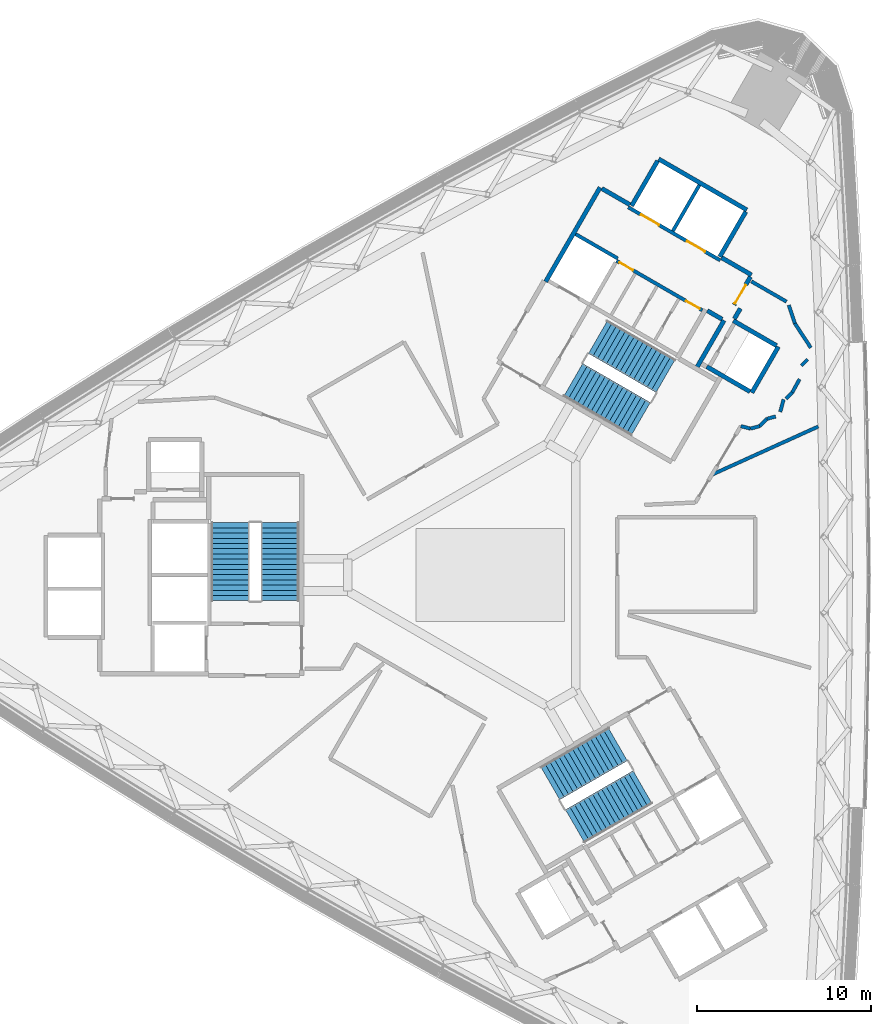
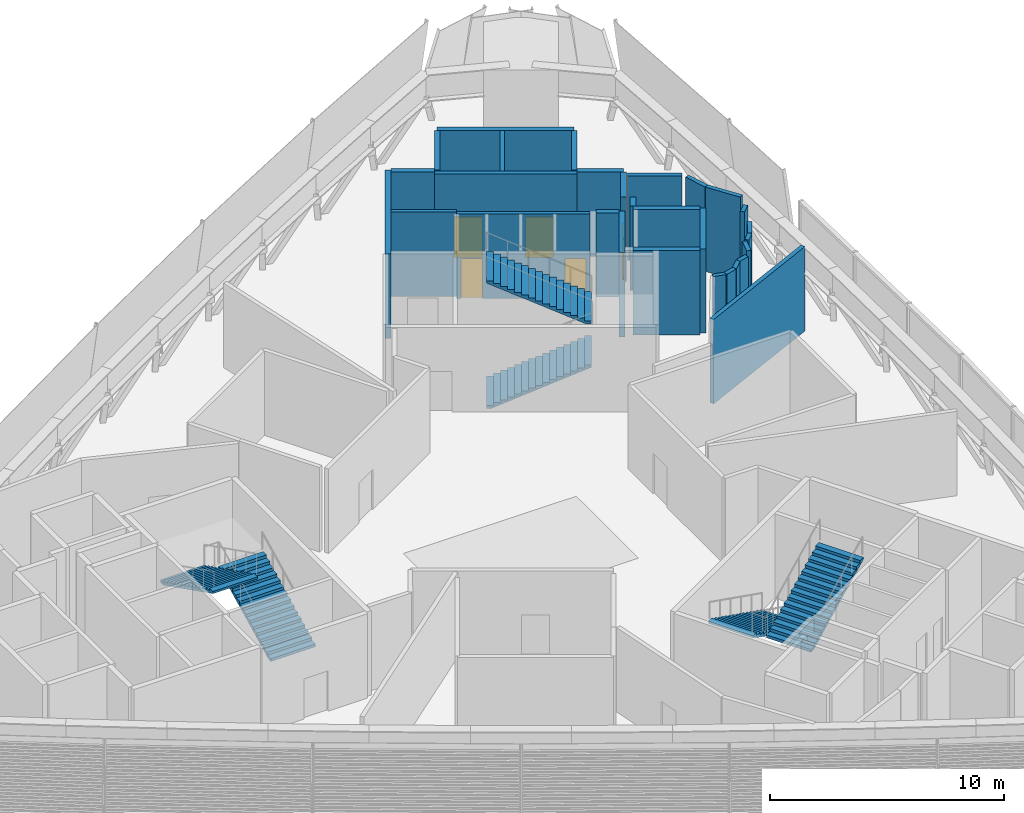
# One storey, part 13 of 17: 29 walls, 6 stair flights, 5 doors, 5 openings, 3 elements without a shape of their own.
"""IFC4 building model written with IfcOpenShell, lengths in metres."""

import ifcopenshell
import ifcopenshell.guid

model = None  # the IFC model being written
_history = None  # IfcOwnerHistory: only IFC2X3 demands one
_inside = {}  # id of a spatial element -> (the spatial element, [elements in it])
_under = {}  # id of a project, library or spatial element -> (it, [spatial elements below it])
_declared = {}  # id of a project -> (the project, [libraries it declares])
_typed = {}  # id of a type object -> (the type object, [elements of that type])
_made_of = {}  # id of a material, layer set ... -> (it, [elements and type objects made of it])


def new_model(schema):
    """Start an empty IFC model of exactly this schema.

    Asked for "IFC4X3", IfcOpenShell would pick the latest addendum, in which some entities
    have other attributes; the version numbers below select the first issue.
    IFC2X3 requires an IfcOwnerHistory on every rooted entity: one is made here for all.
    """
    global model, _history
    if schema == "IFC4X3":
        model = ifcopenshell.file(schema_version=(4, 3, 0, 0))
    else:
        model = ifcopenshell.file(schema=schema)
    _inside.clear()
    _under.clear()
    _declared.clear()
    _typed.clear()
    _made_of.clear()
    _history = None
    if model.schema == "IFC2X3":
        org = make("IfcOrganization", Name="unknown")
        user = make(
            "IfcPersonAndOrganization",
            ThePerson=make("IfcPerson", FamilyName="unknown"),
            TheOrganization=org,
        )
        app = make(
            "IfcApplication",
            ApplicationDeveloper=org,
            Version="unknown",
            ApplicationFullName="unknown",
            ApplicationIdentifier="unknown",
        )
        _history = make(
            "IfcOwnerHistory",
            OwningUser=user,
            OwningApplication=app,
            ChangeAction="ADDED",
            CreationDate=0,
        )
    return model


def make(cls, **values):
    """One entity of the class cls with the attributes given. An attribute that is None is left unset."""
    return model.create_entity(
        cls, **{name: value for name, value in values.items() if value is not None}
    )


def rooted(cls, **values):
    """An entity with a GlobalId (a new one), such as an element, a storey or a relation."""
    return make(cls, GlobalId=ifcopenshell.guid.new(), OwnerHistory=_history, **values)


def si_unit(unit_type, name, prefix=None):
    """IfcSIUnit, for example si_unit("LENGTHUNIT", "METRE", prefix="MILLI")."""
    return make("IfcSIUnit", UnitType=unit_type, Prefix=prefix, Name=name)


def assignment(units):
    """IfcUnitAssignment: the units of a project."""
    return None if units is None else make("IfcUnitAssignment", Units=units)


def point(xyz):
    """IfcCartesianPoint."""
    return None if xyz is None else make("IfcCartesianPoint", Coordinates=xyz)


def direction(xyz):
    """IfcDirection."""
    return None if xyz is None else make("IfcDirection", DirectionRatios=xyz)


def frame(location, z_axis=None, x_axis=None):
    """IfcAxis2Placement3D, a coordinate frame: its origin and axes. An axis left out is left unset."""
    return make(
        "IfcAxis2Placement3D",
        Location=point(location),
        Axis=direction(z_axis),
        RefDirection=direction(x_axis),
    )


def frame_2d(location, x_axis=None):
    """IfcAxis2Placement2D, a coordinate frame in the plane: its origin and x axis."""
    return make(
        "IfcAxis2Placement2D", Location=point(location), RefDirection=direction(x_axis)
    )


def origin():
    """The frame at (0, 0, 0) with its axes left unset."""
    return frame((0.0, 0.0, 0.0))


def place(relative_to, where):
    """IfcLocalPlacement: puts the frame where relative to a parent placement (None: the world)."""
    return make(
        "IfcLocalPlacement", PlacementRelTo=relative_to, RelativePlacement=where
    )


def context(
    kind, dimensions, precision=None, world=None, true_north=None, identifier=None
):
    """IfcGeometricRepresentationContext, for example the 3D "Model" context."""
    return make(
        "IfcGeometricRepresentationContext",
        ContextIdentifier=identifier,
        ContextType=kind,
        CoordinateSpaceDimension=dimensions,
        Precision=precision,
        WorldCoordinateSystem=world,
        TrueNorth=true_north,
    )


def subcontext(parent, identifier, kind, view, scale=None):
    """IfcGeometricRepresentationSubContext, for example "Body" below "Model"."""
    return make(
        "IfcGeometricRepresentationSubContext",
        ContextIdentifier=identifier,
        ContextType=kind,
        ParentContext=parent,
        TargetScale=scale,
        TargetView=view,
    )


def project(units=None, contexts=None):
    """IfcProject with its units and contexts."""
    return rooted(
        "IfcProject",
        Name="project",
        RepresentationContexts=contexts,
        UnitsInContext=assignment(units),
    )


def spatial(cls, under=None, at=None, **own):
    """A site, building, storey or space (cls), placed at a placement, below another one or the project."""
    s = rooted(cls, ObjectPlacement=at, **own)
    if under is not None:
        _under.setdefault(under.id(), (under, []))[1].append(s)
    return s


def polyline(points):
    """IfcPolyline through the points."""
    return make("IfcPolyline", Points=[point(p) for p in points])


def profile(cls, at=None, kind="AREA", **sizes):
    """A parametric profile (cls). Its sizes go by their IFC names, for example OverallWidth=200.0."""
    return make(cls, ProfileType=kind, Position=at, **sizes)


def rectangle(**sizes):
    """IfcRectangleProfileDef."""
    return profile("IfcRectangleProfileDef", **sizes)


def outline(outer, holes=None, kind="AREA"):
    """IfcArbitraryClosedProfileDef: a profile drawn as a closed curve; with holes, ...WithVoids."""
    if holes is None:
        return make("IfcArbitraryClosedProfileDef", ProfileType=kind, OuterCurve=outer)
    return make(
        "IfcArbitraryProfileDefWithVoids",
        ProfileType=kind,
        OuterCurve=outer,
        InnerCurves=holes,
    )


def extrude(swept, where, along, depth):
    """IfcExtrudedAreaSolid: the profile swept, set in the frame where, extruded along a direction by depth."""
    return make(
        "IfcExtrudedAreaSolid",
        SweptArea=swept,
        Position=where,
        ExtrudedDirection=direction(along),
        Depth=depth,
    )


def shape(context_of_items, identifier, shape_type, items):
    """IfcShapeRepresentation: the items that make up one representation, for example the "Body"."""
    return make(
        "IfcShapeRepresentation",
        ContextOfItems=context_of_items,
        RepresentationIdentifier=identifier,
        RepresentationType=shape_type,
        Items=items,
    )


def material(Name=None, Category=None):
    """IfcMaterial."""
    return make("IfcMaterial", Name=Name, Category=Category)


def layer(
    of_material, thickness, ventilated=None, Name=None, Category=None, Priority=None
):
    """IfcMaterialLayer: one layer of a wall or slab, of a material (None: an air gap)."""
    return make(
        "IfcMaterialLayer",
        Material=of_material,
        LayerThickness=thickness,
        IsVentilated=ventilated,
        Name=Name,
        Category=Category,
        Priority=Priority,
    )


def layer_set(layers, Name=None):
    """IfcMaterialLayerSet."""
    return make("IfcMaterialLayerSet", MaterialLayers=layers, LayerSetName=Name)


def made_of(thing, what):
    """Note that an element or type object is made of a material, layer set ...; save() writes the relation."""
    if what is not None:
        _made_of.setdefault(what.id(), (what, []))[1].append(thing)
    return thing


def type_object(cls, material=None, **own):
    """A type object (cls), such as IfcWallType, which elements share."""
    return made_of(rooted(cls, **own), material)


def element(
    cls,
    number,
    at=None,
    inside=None,
    cuts=None,
    type_object=None,
    material=None,
    context=None,
    identifier="Body",
    shape_type=None,
    held_by="IfcProductDefinitionShape",
    body=None,
    shapes=None,
    **own,
):
    """One element of the class cls, such as IfcWall. Its Tag is "e" and its number.

    at: its placement. inside: the storey or other place that contains it. cuts: it is an
    opening in that element (IfcRelVoidsElement). A single representation is given by context,
    identifier, shape_type and body (its items); several are given by shapes. held_by: the class
    of the entity that holds the representations. save() writes the other relations.
    """
    e = rooted(cls, Tag="e%d" % number, ObjectPlacement=at, **own)
    if body is not None:
        shapes = [shape(context, identifier, shape_type, body)]
    if shapes is not None:
        e.Representation = make(held_by, Representations=shapes)
    if inside is not None:
        _inside.setdefault(inside.id(), (inside, []))[1].append(e)
    if cuts is not None:
        rooted(
            "IfcRelVoidsElement", RelatingBuildingElement=cuts, RelatedOpeningElement=e
        )
    if type_object is not None:
        _typed.setdefault(type_object.id(), (type_object, []))[1].append(e)
    return made_of(e, material)


def fill(opening, filler):
    """IfcRelFillsElement: the door or window that sits in an opening."""
    return rooted(
        "IfcRelFillsElement",
        RelatingOpeningElement=opening,
        RelatedBuildingElement=filler,
    )


def aggregate(whole, parts):
    """IfcRelAggregates: a whole, such as a stair, and the parts it consists of."""
    return rooted("IfcRelAggregates", RelatingObject=whole, RelatedObjects=parts)


def save(model, path):
    """Write the relations noted so far, then the file.

    IfcRelAggregates (storeys below a building ...), IfcRelContainedInSpatialStructure (elements
    in a storey), IfcRelDefinesByType, IfcRelAssociatesMaterial and IfcRelDeclares: one each for
    every whole, place, type object, material and project.
    """
    for whole, parts in _under.values():
        aggregate(whole, parts)
    for where, things in _inside.values():
        rooted(
            "IfcRelContainedInSpatialStructure",
            RelatedElements=things,
            RelatingStructure=where,
        )
    for kind, things in _typed.values():
        rooted("IfcRelDefinesByType", RelatedObjects=things, RelatingType=kind)
    for what, things in _made_of.values():
        rooted("IfcRelAssociatesMaterial", RelatedObjects=things, RelatingMaterial=what)
    for by, libraries in _declared.values():
        rooted("IfcRelDeclares", RelatingContext=by, RelatedDefinitions=libraries)
    model.write(path)


model = new_model("IFC4")

# Units and contexts
model_context = context("Model", 3, precision=1e-05, world=origin(), true_north=direction((0.0, 1.0)))
body_context = subcontext(model_context, "Body", "Model", "MODEL_VIEW")
ifc_project = project(units=[si_unit("LENGTHUNIT", "METRE"), si_unit("AREAUNIT", "SQUARE_METRE"), si_unit("VOLUMEUNIT", "CUBIC_METRE"), si_unit("PLANEANGLEUNIT", "RADIAN"), si_unit("MASSUNIT", "GRAM", prefix="KILO")], contexts=[model_context])

# Site, building, storey
site_placement = place(None, origin())
site = spatial("IfcSite", under=ifc_project, at=site_placement, CompositionType="ELEMENT")
building_placement = place(site_placement, origin())
building = spatial("IfcBuilding", under=site, at=building_placement, Name="Tamra Quay Hotel Tower", CompositionType="ELEMENT")
storey_placement = place(building_placement, frame((0.0, 0.0, 119.0)))
storey = spatial("IfcBuildingStorey", under=building, at=storey_placement, Name="L29", CompositionType="ELEMENT", Elevation=119.0)

# Wall, openings, doors
ifc_material_1 = material(Name="Concrete M70", Category="concrete")
ifc_layer_1 = layer(ifc_material_1, 0.199951171875)
ifc_layer_set_1 = layer_set([ifc_layer_1], Name="Concrete M70 core wall 200")
wall_type_1 = type_object("IfcWallType", Name="Concrete M70 core wall 200", PredefinedType="SHEAR", material=ifc_layer_set_1)
wall_1_placement = place(storey_placement, frame((13.209716796875, 18.07958984375, 0.0), z_axis=(0.0, 0.0, 1.0), x_axis=(-0.866030299012, 0.499991521122, 0.0)))
wall_1 = element("IfcWall", 1, at=wall_1_placement, inside=storey, type_object=wall_type_1, Name="CW2", PredefinedType="SHEAR", context=body_context, shape_type="SweptSolid", body=[
    extrude(rectangle(XDim=6.10009765625, YDim=0.199951171875, at=frame_2d((3.050048828125, 0.0))), origin(), (0.0, 0.0, 1.0), 4.39990234375),
])
opening_1_placement = place(wall_1_placement, frame((1.0, 0.0, 0.0)))
opening_1 = element("IfcOpeningElement", 2, at=opening_1_placement, cuts=wall_1, Name="Opening LD", PredefinedType="OPENING", context=body_context, shape_type="SweptSolid", body=[
    extrude(rectangle(XDim=1.199951171875, YDim=2.10009765625, at=frame_2d((0.60009765625, 1.050048828125))), frame((0.0, 0.10986328125, 0.0), z_axis=(0.0, -1.0, 0.0), x_axis=(1.0, 0.0, 0.0)), (0.0, 0.0, 1.0), 0.219970703125),
])
opening_2_placement = place(wall_1_placement, frame((4.05029296875, 0.0, 0.0)))
opening_2 = element("IfcOpeningElement", 3, at=opening_2_placement, cuts=wall_1, Name="Opening LD", PredefinedType="OPENING", context=body_context, shape_type="SweptSolid", body=[
    extrude(rectangle(XDim=1.199951171875, YDim=2.10009765625, at=frame_2d((0.60009765625, 1.050048828125))), frame((0.0, 0.10986328125, 0.0), z_axis=(0.0, -1.0, 0.0), x_axis=(1.0, 0.0, 0.0)), (0.0, 0.0, 1.0), 0.219970703125),
])
ifc_material_2 = material(Name="Landing door LD 1200 double door sliding")
door_type_1 = type_object("IfcDoorType", Name="Landing door LD 1200 double door sliding", OperationType="DOUBLE_DOOR_SLIDING", PredefinedType="DOOR", material=ifc_material_2)
door_1_placement = place(opening_1_placement, origin())
door_1 = element("IfcDoor", 4, at=door_1_placement, inside=storey, type_object=door_type_1, Name="LD", OperationType="DOUBLE_DOOR_SLIDING", OverallHeight=2.10009765625, OverallWidth=1.199951171875, PredefinedType="DOOR", context=body_context, shape_type="SweptSolid", body=[
    extrude(rectangle(XDim=1.199951171875, YDim=2.10009765625, at=frame_2d((0.60009765625, 1.050048828125))), frame((0.0, 0.02490234375, 0.0), z_axis=(0.0, -1.0, 0.0), x_axis=(1.0, 0.0, 0.0)), (0.0, 0.0, 1.0), 0.050048828125),
])
fill(opening_1, door_1)
door_2_placement = place(opening_2_placement, origin())
door_2 = element("IfcDoor", 5, at=door_2_placement, inside=storey, type_object=door_type_1, Name="LD", OperationType="DOUBLE_DOOR_SLIDING", OverallHeight=2.10009765625, OverallWidth=1.199951171875, PredefinedType="DOOR", context=body_context, shape_type="SweptSolid", body=[
    extrude(rectangle(XDim=1.199951171875, YDim=2.10009765625, at=frame_2d((0.60009765625, 1.050048828125))), frame((0.0, 0.02490234375, 0.0), z_axis=(0.0, -1.0, 0.0), x_axis=(1.0, 0.0, 0.0)), (0.0, 0.0, 1.0), 0.050048828125),
])
fill(opening_2, door_2)

wall_2_placement = place(storey_placement, frame((12.18505859375, 15.20703125, 0.0), z_axis=(0.0, 0.0, 1.0), x_axis=(-0.866020080793, 0.500009219579, 0.0)))
wall_2 = element("IfcWall", 6, at=wall_2_placement, inside=storey, type_object=wall_type_1, Name="CW2", PredefinedType="SHEAR", context=body_context, shape_type="SweptSolid", body=[
    extrude(rectangle(XDim=5.69921875, YDim=0.199951171875, at=frame_2d((2.849609375, 0.0))), origin(), (0.0, 0.0, 1.0), 4.39990234375),
])
opening_3_placement = place(wall_2_placement, frame((0.174072265625, 0.0, 0.0)))
opening_3 = element("IfcOpeningElement", 7, at=opening_3_placement, cuts=wall_2, Name="Opening D2", PredefinedType="OPENING", context=body_context, shape_type="SweptSolid", body=[
    extrude(rectangle(XDim=0.89990234375, YDim=2.10009765625, at=frame_2d((0.449951171875, 1.050048828125))), frame((0.0, 0.10986328125, 0.0), z_axis=(0.0, -1.0, 0.0), x_axis=(1.0, 0.0, 0.0)), (0.0, 0.0, 1.0), 0.219970703125),
])
opening_4_placement = place(wall_2_placement, frame((4.59912109375, 0.0, 0.0)))
opening_4 = element("IfcOpeningElement", 8, at=opening_4_placement, cuts=wall_2, Name="Opening D2", PredefinedType="OPENING", context=body_context, shape_type="SweptSolid", body=[
    extrude(rectangle(XDim=0.89990234375, YDim=2.10009765625, at=frame_2d((0.449951171875, 1.050048828125))), frame((0.0, 0.10986328125, 0.0), z_axis=(0.0, -1.0, 0.0), x_axis=(1.0, 0.0, 0.0)), (0.0, 0.0, 1.0), 0.219970703125),
])
ifc_material_3 = material(Name="Core door D2 900x2100 LH")
door_type_2 = type_object("IfcDoorType", Name="Core door D2 900x2100 LH", OperationType="NOTDEFINED", PredefinedType="DOOR", material=ifc_material_3)
door_3_placement = place(opening_3_placement, origin())
door_3 = element("IfcDoor", 9, at=door_3_placement, inside=storey, type_object=door_type_2, Name="D2", OperationType="SINGLE_SWING_LEFT", OverallHeight=2.10009765625, OverallWidth=0.89990234375, PredefinedType="DOOR", context=body_context, shape_type="SweptSolid", body=[
    extrude(rectangle(XDim=0.89990234375, YDim=2.10009765625, at=frame_2d((0.449951171875, 1.050048828125))), frame((0.0, 0.02490234375, 0.0), z_axis=(0.0, -1.0, 0.0), x_axis=(1.0, 0.0, 0.0)), (0.0, 0.0, 1.0), 0.050048828125),
])
fill(opening_3, door_3)
ifc_material_4 = material(Name="Core door D2 900x2100 RH")
door_type_3 = type_object("IfcDoorType", Name="Core door D2 900x2100 RH", OperationType="NOTDEFINED", PredefinedType="DOOR", material=ifc_material_4)
door_4_placement = place(opening_4_placement, origin())
door_4 = element("IfcDoor", 10, at=door_4_placement, inside=storey, type_object=door_type_3, Name="D2", OperationType="SINGLE_SWING_RIGHT", OverallHeight=2.10009765625, OverallWidth=0.89990234375, PredefinedType="DOOR", context=body_context, shape_type="SweptSolid", body=[
    extrude(rectangle(XDim=0.89990234375, YDim=2.10009765625, at=frame_2d((0.449951171875, 1.050048828125))), frame((0.0, 0.02490234375, 0.0), z_axis=(0.0, -1.0, 0.0), x_axis=(1.0, 0.0, 0.0)), (0.0, 0.0, 1.0), 0.050048828125),
])
fill(opening_4, door_4)

# Walls
wall_3_placement = place(storey_placement, frame((10.48876953125, 19.76708984375, 0.0), z_axis=(0.0, 0.0, 1.0), x_axis=(0.499946628782, 0.866056215479, 0.0)))
element("IfcWall", 11, at=wall_3_placement, inside=storey, type_object=wall_type_1, Name="CW2", PredefinedType="SHEAR", context=body_context, shape_type="SweptSolid", body=[
    extrude(rectangle(XDim=3.048095703125, YDim=0.199951171875, at=frame_2d((1.52392578125, 0.0))), origin(), (0.0, 0.0, 1.0), 4.39990234375),
])
wall_4_placement = place(storey_placement, frame((4.900634765625, 19.5859375, 0.0), z_axis=(0.0, 0.0, 1.0), x_axis=(0.866022890907, -0.500004352405, 0.0)))
element("IfcWall", 12, at=wall_4_placement, inside=storey, type_object=wall_type_1, Name="CW2", PredefinedType="SHEAR", context=body_context, shape_type="SweptSolid", body=[
    extrude(rectangle(XDim=2.798828125, YDim=0.199951171875, at=frame_2d((1.3994140625, 0.0))), origin(), (0.0, 0.0, 1.0), 4.39990234375),
])
ifc_layer_2 = layer(ifc_material_1, 0.25)
ifc_layer_set_2 = layer_set([ifc_layer_2], Name="Concrete M70 core wall 250")
wall_type_2 = type_object("IfcWallType", Name="Concrete M70 core wall 250", PredefinedType="SHEAR", material=ifc_layer_set_2)
wall_5_placement = place(storey_placement, frame((3.178955078125, 16.856201171875, 0.0), z_axis=(0.0, 0.0, 1.0), x_axis=(0.500004234368, 0.866022959057, 0.0)))
element("IfcWall", 13, at=wall_5_placement, inside=storey, type_object=wall_type_2, Name="CW1", PredefinedType="SHEAR", context=body_context, shape_type="SweptSolid", body=[
    extrude(rectangle(XDim=6.25, YDim=0.25, at=frame_2d((3.125, 0.0))), origin(), (0.0, 0.0, 1.0), 4.39990234375),
])
wall_6_placement = place(storey_placement, frame((9.672607421875, 23.9033203125, 0.0), z_axis=(0.0, 0.0, 1.0), x_axis=(0.86603616409, -0.499981362141, 0.0)))
element("IfcWall", 14, at=wall_6_placement, inside=storey, type_object=wall_type_2, Name="CW1", PredefinedType="SHEAR", context=body_context, shape_type="SweptSolid", body=[
    extrude(rectangle(XDim=5.849853515625, YDim=0.25, at=frame_2d((2.9248046875, 0.0))), origin(), (0.0, 0.0, 1.0), 4.39990234375),
])
for number, where, z_axis, x_axis, name in (
    (15, (8.12255859375, 21.21875, 0.0), (0.0, 0.0, 1.0), (0.499987686533, 0.866032512851, 0.0), "CW1"),
    (16, (14.67626953125, 20.869873046875, 0.0), (0.0, 0.0, 1.0), (-0.499987686533, -0.866032512851, 0.0), "CW1"),
):
    element("IfcWall", number, at=place(storey_placement, frame(where, z_axis=z_axis, x_axis=x_axis)), inside=storey, type_object=wall_type_2, Name=name, PredefinedType="SHEAR", context=body_context, shape_type="SweptSolid", body=[
        extrude(rectangle(XDim=2.974609375, YDim=0.25, at=frame_2d((1.4873046875, 0.0))), origin(), (0.0, 0.0, 1.0), 4.39990234375),
    ])
wall_7_placement = place(storey_placement, frame((16.552001953125, 13.118896484375, 0.0), z_axis=(0.0, 0.0, 1.0), x_axis=(-0.499978833458, -0.866037623948, 0.0)))
element("IfcWall", 17, at=wall_7_placement, inside=storey, type_object=wall_type_2, Name="CW1", PredefinedType="SHEAR", context=body_context, shape_type="SweptSolid", body=[
    extrude(rectangle(XDim=3.050048828125, YDim=0.25, at=frame_2d((1.52490234375, 0.0))), origin(), (0.0, 0.0, 1.0), 4.39990234375),
])
wall_8_placement = place(storey_placement, frame((14.91845703125, 10.540283203125, 0.0), z_axis=(0.0, 0.0, 1.0), x_axis=(-0.866063538972, 0.499933942099, 0.0)))
element("IfcWall", 18, at=wall_8_placement, inside=storey, type_object=wall_type_2, Name="CW1", PredefinedType="SHEAR", context=body_context, shape_type="SweptSolid", body=[
    extrude(rectangle(XDim=2.86474609375, YDim=0.25, at=frame_2d((1.432373046875, 0.0))), origin(), (0.0, 0.0, 1.0), 4.39990234375),
])
wall_9_placement = place(storey_placement, frame((13.962646484375, 14.61376953125, 0.0), z_axis=(0.0, 0.0, 1.0), x_axis=(0.866042235819, -0.499970844928, 0.0)))
element("IfcWall", 19, at=wall_9_placement, inside=storey, type_object=wall_type_2, Name="CW1", PredefinedType="SHEAR", context=body_context, shape_type="SweptSolid", body=[
    extrude(rectangle(XDim=2.864501953125, YDim=0.25, at=frame_2d((1.43212890625, 0.0))), origin(), (0.0, 0.0, 1.0), 4.39990234375),
])
wall_10_placement = place(storey_placement, frame((11.887939453125, 11.960693359375, 0.0), z_axis=(0.0, 0.0, 1.0), x_axis=(0.500003324108, 0.866023484601, 0.0)))
element("IfcWall", 20, at=wall_10_placement, inside=storey, type_object=wall_type_2, Name="CW1", PredefinedType="SHEAR", context=body_context, shape_type="SweptSolid", body=[
    extrude(rectangle(XDim=3.0849609375, YDim=0.25, at=frame_2d((1.54248046875, 0.0))), origin(), (0.0, 0.0, 1.0), 4.39990234375),
])
wall_11_placement = place(storey_placement, frame((13.29736328125, 18.23095703125, 0.0), z_axis=(0.0, 0.0, 1.0), x_axis=(0.866043531843, -0.499968599967, 0.0)))
element("IfcWall", 21, at=wall_11_placement, inside=storey, type_object=wall_type_2, Name="CW1", PredefinedType="SHEAR", context=body_context, shape_type="SweptSolid", body=[
    extrude(rectangle(XDim=1.974853515625, YDim=0.25, at=frame_2d((0.9873046875, 0.0))), origin(), (0.0, 0.0, 1.0), 4.39990234375),
])
wall_12_placement = place(storey_placement, frame((6.41259765625, 22.2060546875, 0.0), z_axis=(0.0, 0.0, 1.0), x_axis=(0.866016279763, -0.500015802937, 0.0)))
element("IfcWall", 22, at=wall_12_placement, inside=storey, type_object=wall_type_2, Name="CW1", PredefinedType="SHEAR", context=body_context, shape_type="SweptSolid", body=[
    extrude(rectangle(XDim=1.84912109375, YDim=0.25, at=frame_2d((0.924560546875, 0.0))), origin(), (0.0, 0.0, 1.0), 4.39990234375),
])

# Wall, opening, door
wall_13_placement = place(storey_placement, frame((14.94482421875, 17.13525390625, 0.0), z_axis=(0.0, 0.0, 1.0), x_axis=(-0.499983108224, -0.866035156036, 0.0)))
wall_13 = element("IfcWall", 23, at=wall_13_placement, inside=storey, type_object=wall_type_2, Name="CW1", PredefinedType="SHEAR", context=body_context, shape_type="SweptSolid", body=[
    extrude(rectangle(XDim=1.86474609375, YDim=0.25, at=frame_2d((0.932373046875, 0.0))), origin(), (0.0, 0.0, 1.0), 4.39990234375),
])
opening_5_placement = place(wall_13_placement, frame((0.53466796875, 0.0, 0.0)))
opening_5 = element("IfcOpeningElement", 24, at=opening_5_placement, cuts=wall_13, Name="Opening FD3", PredefinedType="OPENING", context=body_context, shape_type="SweptSolid", body=[
    extrude(rectangle(XDim=1.25, YDim=2.10009765625, at=frame_2d((0.625, 1.050048828125))), frame((0.0, 0.135009765625, 0.0), z_axis=(0.0, -1.0, 0.0), x_axis=(1.0, 0.0, 0.0)), (0.0, 0.0, 1.0), 0.27001953125),
])
ifc_material_5 = material(Name="Core door FD3 1250x2100 LH")
door_type_4 = type_object("IfcDoorType", Name="Core door FD3 1250x2100 LH", OperationType="NOTDEFINED", PredefinedType="DOOR", material=ifc_material_5)
door_5_placement = place(opening_5_placement, origin())
door_5 = element("IfcDoor", 25, at=door_5_placement, inside=storey, type_object=door_type_4, Name="FD3", OperationType="SINGLE_SWING_LEFT", OverallHeight=2.10009765625, OverallWidth=1.25, PredefinedType="DOOR", context=body_context, shape_type="SweptSolid", body=[
    extrude(rectangle(XDim=1.25, YDim=2.10009765625, at=frame_2d((0.625, 1.050048828125))), frame((0.0, 0.02490234375, 0.0), z_axis=(0.0, -1.0, 0.0), x_axis=(1.0, 0.0, 0.0)), (0.0, 0.0, 1.0), 0.050048828125),
])
fill(opening_5, door_5)

# Walls
wall_14_placement = place(storey_placement, frame((13.322021484375, 14.695068359375, 0.0), z_axis=(0.0, 0.0, 1.0), x_axis=(-0.866017078145, 0.500014420154, 0.0)))
element("IfcWall", 26, at=wall_14_placement, inside=storey, type_object=wall_type_2, Name="CW1", PredefinedType="SHEAR", context=body_context, shape_type="SweptSolid", body=[
    extrude(rectangle(XDim=0.9892578125, YDim=0.25, at=frame_2d((0.49462890625, 0.0))), origin(), (0.0, 0.0, 1.0), 4.39990234375),
])
wall_15_placement = place(storey_placement, frame((14.36767578125, 15.3154296875, 0.0), z_axis=(0.0, 0.0, 1.0), x_axis=(-0.499897359611, -0.866084655132, 0.0)))
element("IfcWall", 27, at=wall_15_placement, inside=storey, type_object=wall_type_2, Name="CW1", PredefinedType="SHEAR", context=body_context, shape_type="SweptSolid", body=[
    extrude(rectangle(XDim=0.684814453125, YDim=0.25, at=frame_2d((0.34228515625, 0.0))), origin(), (0.0, 0.0, 1.0), 4.39990234375),
])
ifc_material_6 = material(Name="Partition corridor wall")
ifc_layer_3 = layer(ifc_material_6, 0.199951171875)
ifc_layer_set_3 = layer_set([ifc_layer_3], Name="Partition corridor wall")
wall_type_3 = type_object("IfcWallType", Name="Partition corridor wall", PredefinedType="PARTITIONING", material=ifc_layer_set_3)
wall_16_placement = place(storey_placement, frame((14.39892578125, 8.555908203125, 0.0), z_axis=(0.0, 0.0, 1.0), x_axis=(0.965845482244, -0.259118707215, 0.0)))
element("IfcWall", 28, at=wall_16_placement, inside=storey, type_object=wall_type_3, Name="W-C", PredefinedType="PARTITIONING", context=body_context, shape_type="SweptSolid", body=[
    extrude(rectangle(XDim=0.5634765625, YDim=0.199951171875, at=frame_2d((0.28173828125, 0.0))), origin(), (0.0, 0.0, 1.0), 4.39990234375),
])
wall_17_placement = place(storey_placement, frame((14.943115234375, 8.409912109375, 0.0), z_axis=(0.0, 0.0, 1.0), x_axis=(0.965744786636, 0.259493751534, 0.0)))
element("IfcWall", 29, at=wall_17_placement, inside=storey, type_object=wall_type_3, Name="W-C", PredefinedType="PARTITIONING", context=body_context, shape_type="SweptSolid", body=[
    extrude(rectangle(XDim=0.547607421875, YDim=0.199951171875, at=frame_2d((0.27392578125, 0.0))), origin(), (0.0, 0.0, 1.0), 4.39990234375),
])
wall_18_placement = place(storey_placement, frame((15.005126953125, 16.869873046875, 0.0), z_axis=(0.0, 0.0, 1.0), x_axis=(0.866005508897, -0.500034457374, 0.0)))
element("IfcWall", 30, at=wall_18_placement, inside=storey, type_object=wall_type_3, Name="W-C", PredefinedType="PARTITIONING", context=body_context, shape_type="SweptSolid", body=[
    extrude(rectangle(XDim=2.325439453125, YDim=0.199951171875, at=frame_2d((1.16259765625, 0.0))), origin(), (0.0, 0.0, 1.0), 4.39990234375),
])
wall_19_placement = place(storey_placement, frame((15.471923828125, 8.552001953125, 0.0), z_axis=(0.0, 0.0, 1.0), x_axis=(0.708129940888, 0.706082138861, 0.0)))
element("IfcWall", 31, at=wall_19_placement, inside=storey, type_object=wall_type_3, Name="W-C", PredefinedType="PARTITIONING", context=body_context, shape_type="SweptSolid", body=[
    extrude(rectangle(XDim=0.59619140625, YDim=0.199951171875, at=frame_2d((0.298095703125, 0.0))), origin(), (0.0, 0.0, 1.0), 4.39990234375),
])
wall_20_placement = place(storey_placement, frame((15.89404296875, 8.972900390625, 0.0), z_axis=(0.0, 0.0, 1.0), x_axis=(0.966023647465, 0.258453695155, 0.0)))
element("IfcWall", 32, at=wall_20_placement, inside=storey, type_object=wall_type_3, Name="W-C", PredefinedType="PARTITIONING", context=body_context, shape_type="SweptSolid", body=[
    extrude(rectangle(XDim=0.5185546875, YDim=0.199951171875, at=frame_2d((0.25927734375, 0.0))), origin(), (0.0, 0.0, 1.0), 4.39990234375),
])
wall_21_placement = place(storey_placement, frame((16.659912109375, 9.373046875, 0.0), z_axis=(0.0, 0.0, 1.0), x_axis=(0.25990241324, 0.965634887311, 0.0)))
element("IfcWall", 33, at=wall_21_placement, inside=storey, type_object=wall_type_3, Name="W-C", PredefinedType="PARTITIONING", context=body_context, shape_type="SweptSolid", body=[
    extrude(rectangle(XDim=0.7392578125, YDim=0.199951171875, at=frame_2d((0.36962890625, 0.0))), origin(), (0.0, 0.0, 1.0), 4.39990234375),
])
wall_22_placement = place(storey_placement, frame((16.988037109375, 10.1240234375, 0.0), z_axis=(0.0, 0.0, 1.0), x_axis=(0.708074756253, 0.706137479218, 0.0)))
element("IfcWall", 34, at=wall_22_placement, inside=storey, type_object=wall_type_3, Name="W-C", PredefinedType="PARTITIONING", context=body_context, shape_type="SweptSolid", body=[
    extrude(rectangle(XDim=0.504150390625, YDim=0.199951171875, at=frame_2d((0.251953125, 0.0))), origin(), (0.0, 0.0, 1.0), 4.39990234375),
])
wall_23_placement = place(storey_placement, frame((17.15087890625, 15.506103515625, 0.0), z_axis=(0.0, 0.0, 1.0), x_axis=(0.313631470976, -0.949544785891, 0.0)))
element("IfcWall", 35, at=wall_23_placement, inside=storey, type_object=wall_type_3, Name="W-C", PredefinedType="PARTITIONING", context=body_context, shape_type="SweptSolid", body=[
    extrude(rectangle(XDim=1.1005859375, YDim=0.199951171875, at=frame_2d((0.55029296875, 0.0))), origin(), (0.0, 0.0, 1.0), 4.39990234375),
])
wall_24_placement = place(storey_placement, frame((17.344970703125, 10.47998046875, 0.0), z_axis=(0.0, 0.0, 1.0), x_axis=(0.483641412834, 0.875266235949, 0.0)))
element("IfcWall", 36, at=wall_24_placement, inside=storey, type_object=wall_type_3, Name="W-C", PredefinedType="PARTITIONING", context=body_context, shape_type="SweptSolid", body=[
    extrude(rectangle(XDim=0.880859375, YDim=0.199951171875, at=frame_2d((0.4404296875, 0.0))), origin(), (0.0, 0.0, 1.0), 4.39990234375),
])
wall_25_placement = place(storey_placement, frame((17.49609375, 14.4609375, 0.0), z_axis=(0.0, 0.0, 1.0), x_axis=(0.548370309333, -0.836235615028, 0.0)))
element("IfcWall", 37, at=wall_25_placement, inside=storey, type_object=wall_type_3, Name="W-C", PredefinedType="PARTITIONING", context=body_context, shape_type="SweptSolid", body=[
    extrude(rectangle(XDim=1.677490234375, YDim=0.199951171875, at=frame_2d((0.8388671875, 0.0))), origin(), (0.0, 0.0, 1.0), 4.39990234375),
])
wall_26_placement = place(storey_placement, frame((17.873046875, 12.031982421875, 0.0), z_axis=(0.0, 0.0, 1.0), x_axis=(0.707106781187, 0.707106781187, 0.0)))
element("IfcWall", 38, at=wall_26_placement, inside=storey, type_object=wall_type_3, Name="W-C", PredefinedType="PARTITIONING", context=body_context, shape_type="SweptSolid", body=[
    extrude(rectangle(XDim=0.517578125, YDim=0.199951171875, at=frame_2d((0.2587890625, 0.0))), origin(), (0.0, 0.0, 1.0), 4.39990234375),
])
ifc_material_7 = material(Name="Partition party wall")
ifc_layer_4 = layer(ifc_material_7, 0.199951171875)
ifc_layer_set_4 = layer_set([ifc_layer_4], Name="Partition party wall")
wall_type_4 = type_object("IfcWallType", Name="Partition party wall", PredefinedType="PARTITIONING", material=ifc_layer_set_4)
wall_27_placement = place(storey_placement, frame((12.742919921875, 5.76806640625, 0.0), z_axis=(0.0, 0.0, 1.0), x_axis=(0.910968392585, 0.412476166235, 0.0)))
element("IfcWall", 39, at=wall_27_placement, inside=storey, type_object=wall_type_4, Name="W-P", PredefinedType="PARTITIONING", context=body_context, shape_type="SweptSolid", body=[
    extrude(rectangle(XDim=6.698486328125, YDim=0.199951171875, at=frame_2d((3.34912109375, 0.0))), origin(), (0.0, 0.0, 1.0), 4.39990234375),
])

# Stair, stair flights
ifc_material_8 = material(Name="Exit stair 2200 32 risers 150.0 going 299")
stair_type = type_object("IfcStairType", Name="Exit stair 2200 32 risers 150.0 going 299", PredefinedType="HALF_TURN_STAIR", material=ifc_material_8)
stair_1_placement = place(storey_placement, origin())
stair_1 = element("IfcStair", 40, at=stair_1_placement, inside=storey, type_object=stair_type, Name="L29 Exit stair ST3", PredefinedType="HALF_TURN_STAIR")
ifc_material_9 = material(Name="Exit stair flight 2200 16 risers 150.0")
stair_flight_type = type_object("IfcStairFlightType", Name="Exit stair flight 2200 16 risers 150.0", PredefinedType="STRAIGHT", material=ifc_material_9)
stair_flight_1_placement = place(storey_placement, frame((-12.082275390625, -1.47998046875, 0.0), z_axis=(0.0, 0.0, 1.0), x_axis=(0.0, 1.0, 0.0)))
stair_flight_1 = element("IfcStairFlight", 41, at=stair_flight_1_placement, type_object=stair_flight_type, Name="ST3 flight 1", NumberOfRisers=16, NumberOfTreads=15, PredefinedType="STRAIGHT", RiserHeight=0.15, TreadLength=0.299, context=body_context, shape_type="SweptSolid", body=[
    extrude(outline(polyline([(0.0, 0.0), (0.0, 0.14990234375), (0.299072265625, 0.14990234375), (0.299072265625, 0.300048828125), (0.597900390625, 0.300048828125), (0.597900390625, 0.449951171875), (0.89697265625, 0.449951171875), (0.89697265625, 0.60009765625), (1.196044921875, 0.60009765625), (1.196044921875, 0.75), (1.4951171875, 0.75), (1.4951171875, 0.89990234375), (1.7939453125, 0.89990234375), (1.7939453125, 1.050048828125), (2.093017578125, 1.050048828125), (2.093017578125, 1.199951171875), (2.39208984375, 1.199951171875), (2.39208984375, 1.35009765625), (2.69091796875, 1.35009765625), (2.69091796875, 1.5), (2.989990234375, 1.5), (2.989990234375, 1.64990234375), (3.2890625, 1.64990234375), (3.2890625, 1.800048828125), (3.587890625, 1.800048828125), (3.587890625, 1.949951171875), (3.886962890625, 1.949951171875), (3.886962890625, 2.10009765625), (4.18603515625, 2.10009765625), (4.18603515625, 2.25), (4.485107421875, 2.25), (4.485107421875, 2.39990234375), (4.485107421875, 2.137939453125), (0.22314453125, 0.0), (0.0, 0.0)])), frame((0.0, 1.10009765625, 0.0), z_axis=(0.0, -1.0, 0.0), x_axis=(1.0, 0.0, 0.0)), (0.0, 0.0, 1.0), 2.199951171875),
])
stair_flight_2_placement = place(storey_placement, frame((-14.94140625, 3.0048828125, 2.39990234375), z_axis=(0.0, 0.0, 1.0), x_axis=(0.0, -1.0, 0.0)))
stair_flight_2 = element("IfcStairFlight", 42, at=stair_flight_2_placement, type_object=stair_flight_type, Name="ST3 flight 2", NumberOfRisers=16, NumberOfTreads=15, PredefinedType="STRAIGHT", RiserHeight=0.15, TreadLength=0.299, context=body_context, shape_type="SweptSolid", body=[
    extrude(outline(polyline([(0.0, 0.0), (0.0, 0.14990234375), (0.299072265625, 0.14990234375), (0.299072265625, 0.300048828125), (0.597900390625, 0.300048828125), (0.597900390625, 0.449951171875), (0.89697265625, 0.449951171875), (0.89697265625, 0.60009765625), (1.196044921875, 0.60009765625), (1.196044921875, 0.75), (1.4951171875, 0.75), (1.4951171875, 0.89990234375), (1.7939453125, 0.89990234375), (1.7939453125, 1.050048828125), (2.093017578125, 1.050048828125), (2.093017578125, 1.199951171875), (2.39208984375, 1.199951171875), (2.39208984375, 1.35009765625), (2.69091796875, 1.35009765625), (2.69091796875, 1.5), (2.989990234375, 1.5), (2.989990234375, 1.64990234375), (3.2890625, 1.64990234375), (3.2890625, 1.800048828125), (3.587890625, 1.800048828125), (3.587890625, 1.949951171875), (3.886962890625, 1.949951171875), (3.886962890625, 2.10009765625), (4.18603515625, 2.10009765625), (4.18603515625, 2.25), (4.485107421875, 2.25), (4.485107421875, 2.39990234375), (4.485107421875, 2.137939453125), (0.22314453125, 0.0), (0.0, 0.0)])), frame((0.0, 1.10009765625, 0.0), z_axis=(0.0, -1.0, 0.0), x_axis=(1.0, 0.0, 0.0)), (0.0, 0.0, 1.0), 2.199951171875),
])
aggregate(stair_1, [stair_flight_1, stair_flight_2])

stair_2_placement = place(storey_placement, origin())
stair_2 = element("IfcStair", 43, at=stair_2_placement, inside=storey, type_object=stair_type, Name="L29 Exit stair ST1", PredefinedType="HALF_TURN_STAIR")
stair_flight_3_placement = place(storey_placement, frame((4.75927734375, 11.20361328125, 0.0), z_axis=(0.0, 0.0, 1.0), x_axis=(0.866025403784, -0.5, 0.0)))
stair_flight_3 = element("IfcStairFlight", 44, at=stair_flight_3_placement, type_object=stair_flight_type, Name="ST1 flight 1", NumberOfRisers=16, NumberOfTreads=15, PredefinedType="STRAIGHT", RiserHeight=0.15, TreadLength=0.299, context=body_context, shape_type="SweptSolid", body=[
    extrude(outline(polyline([(0.0, 0.0), (0.0, 0.14990234375), (0.299072265625, 0.14990234375), (0.299072265625, 0.300048828125), (0.597900390625, 0.300048828125), (0.597900390625, 0.449951171875), (0.89697265625, 0.449951171875), (0.89697265625, 0.60009765625), (1.196044921875, 0.60009765625), (1.196044921875, 0.75), (1.4951171875, 0.75), (1.4951171875, 0.89990234375), (1.7939453125, 0.89990234375), (1.7939453125, 1.050048828125), (2.093017578125, 1.050048828125), (2.093017578125, 1.199951171875), (2.39208984375, 1.199951171875), (2.39208984375, 1.35009765625), (2.69091796875, 1.35009765625), (2.69091796875, 1.5), (2.989990234375, 1.5), (2.989990234375, 1.64990234375), (3.2890625, 1.64990234375), (3.2890625, 1.800048828125), (3.587890625, 1.800048828125), (3.587890625, 1.949951171875), (3.886962890625, 1.949951171875), (3.886962890625, 2.10009765625), (4.18603515625, 2.10009765625), (4.18603515625, 2.25), (4.485107421875, 2.25), (4.485107421875, 2.39990234375), (4.485107421875, 2.137939453125), (0.22314453125, 0.0), (0.0, 0.0)])), frame((0.0, 1.10009765625, 0.0), z_axis=(0.0, -1.0, 0.0), x_axis=(1.0, 0.0, 0.0)), (0.0, 0.0, 1.0), 2.199951171875),
])
stair_flight_4_placement = place(storey_placement, frame((10.072998046875, 11.43701171875, 2.39990234375), z_axis=(0.0, 0.0, 1.0), x_axis=(-0.866025403784, 0.5, 0.0)))
stair_flight_4 = element("IfcStairFlight", 45, at=stair_flight_4_placement, type_object=stair_flight_type, Name="ST1 flight 2", NumberOfRisers=16, NumberOfTreads=15, PredefinedType="STRAIGHT", RiserHeight=0.15, TreadLength=0.299, context=body_context, shape_type="SweptSolid", body=[
    extrude(outline(polyline([(0.0, 0.0), (0.0, 0.14990234375), (0.299072265625, 0.14990234375), (0.299072265625, 0.300048828125), (0.597900390625, 0.300048828125), (0.597900390625, 0.449951171875), (0.89697265625, 0.449951171875), (0.89697265625, 0.60009765625), (1.196044921875, 0.60009765625), (1.196044921875, 0.75), (1.4951171875, 0.75), (1.4951171875, 0.89990234375), (1.7939453125, 0.89990234375), (1.7939453125, 1.050048828125), (2.093017578125, 1.050048828125), (2.093017578125, 1.199951171875), (2.39208984375, 1.199951171875), (2.39208984375, 1.35009765625), (2.69091796875, 1.35009765625), (2.69091796875, 1.5), (2.989990234375, 1.5), (2.989990234375, 1.64990234375), (3.2890625, 1.64990234375), (3.2890625, 1.800048828125), (3.587890625, 1.800048828125), (3.587890625, 1.949951171875), (3.886962890625, 1.949951171875), (3.886962890625, 2.10009765625), (4.18603515625, 2.10009765625), (4.18603515625, 2.25), (4.485107421875, 2.25), (4.485107421875, 2.39990234375), (4.485107421875, 2.137939453125), (0.22314453125, 0.0), (0.0, 0.0)])), frame((0.0, 1.10009765625, 0.0), z_axis=(0.0, -1.0, 0.0), x_axis=(1.0, 0.0, 0.0)), (0.0, 0.0, 1.0), 2.199951171875),
])
aggregate(stair_2, [stair_flight_3, stair_flight_4])

stair_3_placement = place(storey_placement, origin())
stair_3 = element("IfcStair", 46, at=stair_3_placement, inside=storey, type_object=stair_type, Name="L29 Exit stair ST2", PredefinedType="HALF_TURN_STAIR")
stair_flight_5_placement = place(storey_placement, frame((7.322998046875, -9.7236328125, 0.0), z_axis=(0.0, 0.0, 1.0), x_axis=(-0.866025403784, -0.5, 0.0)))
stair_flight_5 = element("IfcStairFlight", 47, at=stair_flight_5_placement, type_object=stair_flight_type, Name="ST2 flight 1", NumberOfRisers=16, NumberOfTreads=15, PredefinedType="STRAIGHT", RiserHeight=0.15, TreadLength=0.299, context=body_context, shape_type="SweptSolid", body=[
    extrude(outline(polyline([(0.0, 0.0), (0.0, 0.14990234375), (0.299072265625, 0.14990234375), (0.299072265625, 0.300048828125), (0.597900390625, 0.300048828125), (0.597900390625, 0.449951171875), (0.89697265625, 0.449951171875), (0.89697265625, 0.60009765625), (1.196044921875, 0.60009765625), (1.196044921875, 0.75), (1.4951171875, 0.75), (1.4951171875, 0.89990234375), (1.7939453125, 0.89990234375), (1.7939453125, 1.050048828125), (2.093017578125, 1.050048828125), (2.093017578125, 1.199951171875), (2.39208984375, 1.199951171875), (2.39208984375, 1.35009765625), (2.69091796875, 1.35009765625), (2.69091796875, 1.5), (2.989990234375, 1.5), (2.989990234375, 1.64990234375), (3.2890625, 1.64990234375), (3.2890625, 1.800048828125), (3.587890625, 1.800048828125), (3.587890625, 1.949951171875), (3.886962890625, 1.949951171875), (3.886962890625, 2.10009765625), (4.18603515625, 2.10009765625), (4.18603515625, 2.25), (4.485107421875, 2.25), (4.485107421875, 2.39990234375), (4.485107421875, 2.137939453125), (0.22314453125, 0.0), (0.0, 0.0)])), frame((0.0, 1.10009765625, 0.0), z_axis=(0.0, -1.0, 0.0), x_axis=(1.0, 0.0, 0.0)), (0.0, 0.0, 1.0), 2.199951171875),
])
stair_flight_6_placement = place(storey_placement, frame((4.868408203125, -14.44189453125, 2.39990234375), z_axis=(0.0, 0.0, 1.0), x_axis=(0.866025403784, 0.5, 0.0)))
stair_flight_6 = element("IfcStairFlight", 48, at=stair_flight_6_placement, type_object=stair_flight_type, Name="ST2 flight 2", NumberOfRisers=16, NumberOfTreads=15, PredefinedType="STRAIGHT", RiserHeight=0.15, TreadLength=0.299, context=body_context, shape_type="SweptSolid", body=[
    extrude(outline(polyline([(0.0, 0.0), (0.0, 0.14990234375), (0.299072265625, 0.14990234375), (0.299072265625, 0.300048828125), (0.597900390625, 0.300048828125), (0.597900390625, 0.449951171875), (0.89697265625, 0.449951171875), (0.89697265625, 0.60009765625), (1.196044921875, 0.60009765625), (1.196044921875, 0.75), (1.4951171875, 0.75), (1.4951171875, 0.89990234375), (1.7939453125, 0.89990234375), (1.7939453125, 1.050048828125), (2.093017578125, 1.050048828125), (2.093017578125, 1.199951171875), (2.39208984375, 1.199951171875), (2.39208984375, 1.35009765625), (2.69091796875, 1.35009765625), (2.69091796875, 1.5), (2.989990234375, 1.5), (2.989990234375, 1.64990234375), (3.2890625, 1.64990234375), (3.2890625, 1.800048828125), (3.587890625, 1.800048828125), (3.587890625, 1.949951171875), (3.886962890625, 1.949951171875), (3.886962890625, 2.10009765625), (4.18603515625, 2.10009765625), (4.18603515625, 2.25), (4.485107421875, 2.25), (4.485107421875, 2.39990234375), (4.485107421875, 2.137939453125), (0.22314453125, 0.0), (0.0, 0.0)])), frame((0.0, 1.10009765625, 0.0), z_axis=(0.0, -1.0, 0.0), x_axis=(1.0, 0.0, 0.0)), (0.0, 0.0, 1.0), 2.199951171875),
])
aggregate(stair_3, [stair_flight_5, stair_flight_6])

save(model, "model.ifc")
